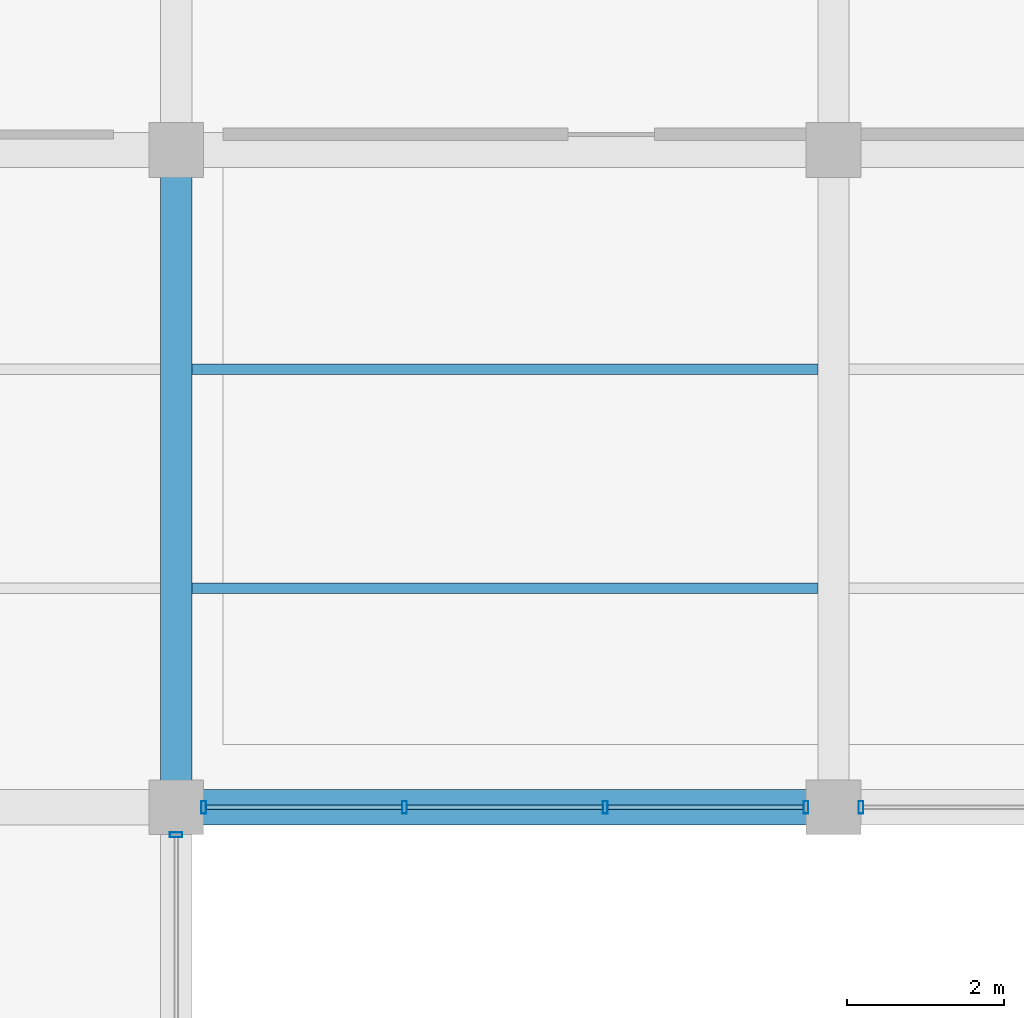
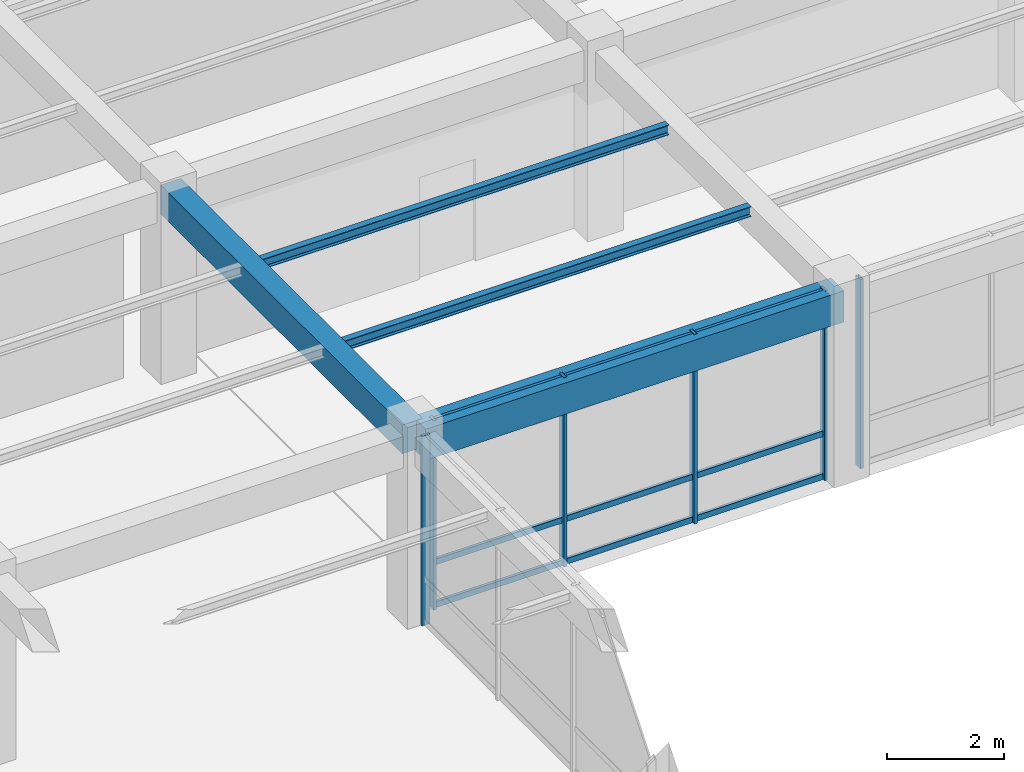
# One storey, part 13 of 152: 15 members, 4 beams, 3 elements without a shape of their own.
"""IFC4 building model written with IfcOpenShell, lengths in metres."""

import ifcopenshell
import ifcopenshell.guid

model = None  # the IFC model being written
_history = None  # IfcOwnerHistory: only IFC2X3 demands one
_inside = {}  # id of a spatial element -> (the spatial element, [elements in it])
_under = {}  # id of a project, library or spatial element -> (it, [spatial elements below it])
_declared = {}  # id of a project -> (the project, [libraries it declares])
_typed = {}  # id of a type object -> (the type object, [elements of that type])
_made_of = {}  # id of a material, layer set ... -> (it, [elements and type objects made of it])


def new_model(schema):
    """Start an empty IFC model of exactly this schema.

    Asked for "IFC4X3", IfcOpenShell would pick the latest addendum, in which some entities
    have other attributes; the version numbers below select the first issue.
    IFC2X3 requires an IfcOwnerHistory on every rooted entity: one is made here for all.
    """
    global model, _history
    if schema == "IFC4X3":
        model = ifcopenshell.file(schema_version=(4, 3, 0, 0))
    else:
        model = ifcopenshell.file(schema=schema)
    _inside.clear()
    _under.clear()
    _declared.clear()
    _typed.clear()
    _made_of.clear()
    _history = None
    if model.schema == "IFC2X3":
        org = make("IfcOrganization", Name="unknown")
        user = make(
            "IfcPersonAndOrganization",
            ThePerson=make("IfcPerson", FamilyName="unknown"),
            TheOrganization=org,
        )
        app = make(
            "IfcApplication",
            ApplicationDeveloper=org,
            Version="unknown",
            ApplicationFullName="unknown",
            ApplicationIdentifier="unknown",
        )
        _history = make(
            "IfcOwnerHistory",
            OwningUser=user,
            OwningApplication=app,
            ChangeAction="ADDED",
            CreationDate=0,
        )
    return model


def make(cls, **values):
    """One entity of the class cls with the attributes given. An attribute that is None is left unset."""
    return model.create_entity(
        cls, **{name: value for name, value in values.items() if value is not None}
    )


def rooted(cls, **values):
    """An entity with a GlobalId (a new one), such as an element, a storey or a relation."""
    return make(cls, GlobalId=ifcopenshell.guid.new(), OwnerHistory=_history, **values)


def si_unit(unit_type, name, prefix=None):
    """IfcSIUnit, for example si_unit("LENGTHUNIT", "METRE", prefix="MILLI")."""
    return make("IfcSIUnit", UnitType=unit_type, Prefix=prefix, Name=name)


def assignment(units):
    """IfcUnitAssignment: the units of a project."""
    return None if units is None else make("IfcUnitAssignment", Units=units)


def point(xyz):
    """IfcCartesianPoint."""
    return None if xyz is None else make("IfcCartesianPoint", Coordinates=xyz)


def direction(xyz):
    """IfcDirection."""
    return None if xyz is None else make("IfcDirection", DirectionRatios=xyz)


def frame(location, z_axis=None, x_axis=None):
    """IfcAxis2Placement3D, a coordinate frame: its origin and axes. An axis left out is left unset."""
    return make(
        "IfcAxis2Placement3D",
        Location=point(location),
        Axis=direction(z_axis),
        RefDirection=direction(x_axis),
    )


def frame_2d(location, x_axis=None):
    """IfcAxis2Placement2D, a coordinate frame in the plane: its origin and x axis."""
    return make(
        "IfcAxis2Placement2D", Location=point(location), RefDirection=direction(x_axis)
    )


def origin():
    """The frame at (0, 0, 0) with its axes left unset."""
    return frame((0.0, 0.0, 0.0))


def origin_2d():
    """The frame at (0, 0) in the plane with its x axis left unset."""
    return frame_2d((0.0, 0.0))


def place(relative_to, where):
    """IfcLocalPlacement: puts the frame where relative to a parent placement (None: the world)."""
    return make(
        "IfcLocalPlacement", PlacementRelTo=relative_to, RelativePlacement=where
    )


def context(
    kind, dimensions, precision=None, world=None, true_north=None, identifier=None
):
    """IfcGeometricRepresentationContext, for example the 3D "Model" context."""
    return make(
        "IfcGeometricRepresentationContext",
        ContextIdentifier=identifier,
        ContextType=kind,
        CoordinateSpaceDimension=dimensions,
        Precision=precision,
        WorldCoordinateSystem=world,
        TrueNorth=true_north,
    )


def subcontext(parent, identifier, kind, view, scale=None):
    """IfcGeometricRepresentationSubContext, for example "Body" below "Model"."""
    return make(
        "IfcGeometricRepresentationSubContext",
        ContextIdentifier=identifier,
        ContextType=kind,
        ParentContext=parent,
        TargetScale=scale,
        TargetView=view,
    )


def project(units=None, contexts=None):
    """IfcProject with its units and contexts."""
    return rooted(
        "IfcProject",
        Name="project",
        RepresentationContexts=contexts,
        UnitsInContext=assignment(units),
    )


def spatial(cls, under=None, at=None, **own):
    """A site, building, storey or space (cls), placed at a placement, below another one or the project."""
    s = rooted(cls, ObjectPlacement=at, **own)
    if under is not None:
        _under.setdefault(under.id(), (under, []))[1].append(s)
    return s


def profile(cls, at=None, kind="AREA", **sizes):
    """A parametric profile (cls). Its sizes go by their IFC names, for example OverallWidth=200.0."""
    return make(cls, ProfileType=kind, Position=at, **sizes)


def rectangle(**sizes):
    """IfcRectangleProfileDef."""
    return profile("IfcRectangleProfileDef", **sizes)


def hollow_rectangle(**sizes):
    """IfcRectangleHollowProfileDef."""
    return profile("IfcRectangleHollowProfileDef", **sizes)


def i_section(**sizes):
    """IfcIShapeProfileDef."""
    return profile("IfcIShapeProfileDef", **sizes)


def extrude(swept, where, along, depth):
    """IfcExtrudedAreaSolid: the profile swept, set in the frame where, extruded along a direction by depth."""
    return make(
        "IfcExtrudedAreaSolid",
        SweptArea=swept,
        Position=where,
        ExtrudedDirection=direction(along),
        Depth=depth,
    )


def shape(context_of_items, identifier, shape_type, items):
    """IfcShapeRepresentation: the items that make up one representation, for example the "Body"."""
    return make(
        "IfcShapeRepresentation",
        ContextOfItems=context_of_items,
        RepresentationIdentifier=identifier,
        RepresentationType=shape_type,
        Items=items,
    )


def material(Name=None, Category=None):
    """IfcMaterial."""
    return make("IfcMaterial", Name=Name, Category=Category)


def material_profile(
    of_material, cross_section, Name=None, Category=None, Priority=None
):
    """IfcMaterialProfile: a cross section and its material."""
    return make(
        "IfcMaterialProfile",
        Name=Name,
        Material=of_material,
        Profile=cross_section,
        Priority=Priority,
        Category=Category,
    )


def profile_set(profiles, Name=None, composite=None):
    """IfcMaterialProfileSet."""
    return make(
        "IfcMaterialProfileSet",
        Name=Name,
        MaterialProfiles=profiles,
        CompositeProfile=composite,
    )


def made_of(thing, what):
    """Note that an element or type object is made of a material, layer set ...; save() writes the relation."""
    if what is not None:
        _made_of.setdefault(what.id(), (what, []))[1].append(thing)
    return thing


def type_object(cls, material=None, **own):
    """A type object (cls), such as IfcWallType, which elements share."""
    return made_of(rooted(cls, **own), material)


def element(
    cls,
    number,
    at=None,
    inside=None,
    cuts=None,
    type_object=None,
    material=None,
    context=None,
    identifier="Body",
    shape_type=None,
    held_by="IfcProductDefinitionShape",
    body=None,
    shapes=None,
    **own,
):
    """One element of the class cls, such as IfcWall. Its Tag is "e" and its number.

    at: its placement. inside: the storey or other place that contains it. cuts: it is an
    opening in that element (IfcRelVoidsElement). A single representation is given by context,
    identifier, shape_type and body (its items); several are given by shapes. held_by: the class
    of the entity that holds the representations. save() writes the other relations.
    """
    e = rooted(cls, Tag="e%d" % number, ObjectPlacement=at, **own)
    if body is not None:
        shapes = [shape(context, identifier, shape_type, body)]
    if shapes is not None:
        e.Representation = make(held_by, Representations=shapes)
    if inside is not None:
        _inside.setdefault(inside.id(), (inside, []))[1].append(e)
    if cuts is not None:
        rooted(
            "IfcRelVoidsElement", RelatingBuildingElement=cuts, RelatedOpeningElement=e
        )
    if type_object is not None:
        _typed.setdefault(type_object.id(), (type_object, []))[1].append(e)
    return made_of(e, material)


def aggregate(whole, parts):
    """IfcRelAggregates: a whole, such as a stair, and the parts it consists of."""
    return rooted("IfcRelAggregates", RelatingObject=whole, RelatedObjects=parts)


def save(model, path):
    """Write the relations noted so far, then the file.

    IfcRelAggregates (storeys below a building ...), IfcRelContainedInSpatialStructure (elements
    in a storey), IfcRelDefinesByType, IfcRelAssociatesMaterial and IfcRelDeclares: one each for
    every whole, place, type object, material and project.
    """
    for whole, parts in _under.values():
        aggregate(whole, parts)
    for where, things in _inside.values():
        rooted(
            "IfcRelContainedInSpatialStructure",
            RelatedElements=things,
            RelatingStructure=where,
        )
    for kind, things in _typed.values():
        rooted("IfcRelDefinesByType", RelatedObjects=things, RelatingType=kind)
    for what, things in _made_of.values():
        rooted("IfcRelAssociatesMaterial", RelatedObjects=things, RelatingMaterial=what)
    for by, libraries in _declared.values():
        rooted("IfcRelDeclares", RelatingContext=by, RelatedDefinitions=libraries)
    model.write(path)


model = new_model("IFC4")

# Units and contexts
model_context = context("Model", 3, precision=1e-05, world=origin(), true_north=direction((0.0, 1.0)))
body_context = subcontext(model_context, "Body", "Model", "MODEL_VIEW")
ifc_project = project(units=[si_unit("LENGTHUNIT", "METRE"), si_unit("AREAUNIT", "SQUARE_METRE"), si_unit("VOLUMEUNIT", "CUBIC_METRE"), si_unit("PLANEANGLEUNIT", "RADIAN"), si_unit("MASSUNIT", "GRAM", prefix="KILO"), si_unit("THERMODYNAMICTEMPERATUREUNIT", "KELVIN"), si_unit("POWERUNIT", "WATT")], contexts=[model_context])

# Site, building, storey
site_placement = place(None, origin())
site = spatial("IfcSite", under=ifc_project, at=site_placement, CompositionType="ELEMENT")
building_placement = place(site_placement, origin())
building = spatial("IfcBuilding", under=site, at=building_placement, Name="Darbajah Civic Hall", CompositionType="ELEMENT")
storey_placement = place(building_placement, frame((0.0, 0.0, 5.39990234375)))
storey = spatial("IfcBuildingStorey", under=building, at=storey_placement, Name="L01", CompositionType="ELEMENT", Elevation=5.39990234375)

# Curtain wall, member
ifc_material_1 = material(Name="Anodised Bronze Aluminium and Low-E Glazing", Category="aluminium")
curtain_wall_type = type_object("IfcCurtainWallType", Name="Unitised Curtain Wall CW-99 7700x3950", PredefinedType="USERDEFINED", material=ifc_material_1)
curtain_wall_1_placement = place(storey_placement, origin())
curtain_wall_1 = element("IfcCurtainWall", 1, at=curtain_wall_1_placement, inside=storey, type_object=curtain_wall_type, Name="L01 unitised curtain wall CW-V5-L01-S1-B1", ObjectType="UNITISED CURTAIN WALL", PredefinedType="USERDEFINED")
ifc_material_2 = material(Name="Anodised Bronze Aluminium", Category="aluminium")
ifc_material_profile_1 = material_profile(ifc_material_2, hollow_rectangle(XDim=0.06005859375, YDim=0.159912109375, WallThickness=0.00341796875, at=origin_2d()), Name="ALU MULLION 60x160")
ifc_profile_set_1 = profile_set([ifc_material_profile_1], Name="Anodised Bronze Aluminium")
member_type_1 = type_object("IfcMemberType", Name="ALU MULLION 60x160", PredefinedType="MULLION", material=ifc_profile_set_1)
member_1_placement = place(storey_placement, frame((16.800048828125, 16.447998046875, 0.0), z_axis=(0.0, 0.0, 1.0), x_axis=(0.0, 1.0, 0.0)))
member_1 = element("IfcMember", 2, at=member_1_placement, type_object=member_type_1, Name="CW-V5-L01-S1-B1 mullion 4", PredefinedType="MULLION", context=body_context, shape_type="SweptSolid", body=[
    extrude(hollow_rectangle(XDim=0.06005859375, YDim=0.159912109375, WallThickness=0.00341796875, at=origin_2d()), origin(), (0.0, 0.0, 1.0), 3.940185546875),
])
aggregate(curtain_wall_1, [member_1])

# Curtain wall, members
curtain_wall_2_placement = place(storey_placement, origin())
curtain_wall_2 = element("IfcCurtainWall", 3, at=curtain_wall_2_placement, inside=storey, type_object=curtain_wall_type, Name="L01 unitised curtain wall CW-V5-L01-S2-B0", ObjectType="UNITISED CURTAIN WALL", PredefinedType="USERDEFINED")
member_2_placement = place(storey_placement, frame((17.152099609375, 16.800048828125, 0.0), z_axis=(0.0, 0.0, 1.0), x_axis=(1.0, 0.0, 0.0)))
member_2 = element("IfcMember", 4, at=member_2_placement, type_object=member_type_1, Name="CW-V5-L01-S2-B0 mullion 1", PredefinedType="MULLION", context=body_context, shape_type="SweptSolid", body=[
    extrude(hollow_rectangle(XDim=0.06005859375, YDim=0.159912109375, WallThickness=0.00341796875, at=origin_2d()), origin(), (0.0, 0.0, 1.0), 3.940185546875),
])
member_3_placement = place(storey_placement, frame((19.71728515625, 16.800048828125, 0.0), z_axis=(0.0, 0.0, 1.0), x_axis=(1.0, 0.0, 0.0)))
member_3 = element("IfcMember", 5, at=member_3_placement, type_object=member_type_1, Name="CW-V5-L01-S2-B0 mullion 2", PredefinedType="MULLION", context=body_context, shape_type="SweptSolid", body=[
    extrude(hollow_rectangle(XDim=0.06005859375, YDim=0.159912109375, WallThickness=0.00341796875, at=origin_2d()), origin(), (0.0, 0.0, 1.0), 3.940185546875),
])
member_4_placement = place(storey_placement, frame((22.28271484375, 16.800048828125, 0.0), z_axis=(0.0, 0.0, 1.0), x_axis=(1.0, 0.0, 0.0)))
member_4 = element("IfcMember", 6, at=member_4_placement, type_object=member_type_1, Name="CW-V5-L01-S2-B0 mullion 3", PredefinedType="MULLION", context=body_context, shape_type="SweptSolid", body=[
    extrude(hollow_rectangle(XDim=0.06005859375, YDim=0.159912109375, WallThickness=0.00341796875, at=origin_2d()), origin(), (0.0, 0.0, 1.0), 3.940185546875),
])
member_5_placement = place(storey_placement, frame((24.847900390625, 16.800048828125, 0.0), z_axis=(0.0, 0.0, 1.0), x_axis=(1.0, 0.0, 0.0)))
member_5 = element("IfcMember", 7, at=member_5_placement, type_object=member_type_1, Name="CW-V5-L01-S2-B0 mullion 4", PredefinedType="MULLION", context=body_context, shape_type="SweptSolid", body=[
    extrude(hollow_rectangle(XDim=0.06005859375, YDim=0.159912109375, WallThickness=0.00341796875, at=origin_2d()), origin(), (0.0, 0.0, 1.0), 3.940185546875),
])

# Curtain wall, member
curtain_wall_3_placement = place(storey_placement, origin())
curtain_wall_3 = element("IfcCurtainWall", 8, at=curtain_wall_3_placement, inside=storey, type_object=curtain_wall_type, Name="L01 unitised curtain wall CW-V5-L01-S2-B1", ObjectType="UNITISED CURTAIN WALL", PredefinedType="USERDEFINED")
member_6_placement = place(storey_placement, frame((25.552001953125, 16.800048828125, 0.0), z_axis=(0.0, 0.0, 1.0), x_axis=(1.0, 0.0, 0.0)))
member_6 = element("IfcMember", 9, at=member_6_placement, type_object=member_type_1, Name="CW-V5-L01-S2-B1 mullion 1", PredefinedType="MULLION", context=body_context, shape_type="SweptSolid", body=[
    extrude(hollow_rectangle(XDim=0.06005859375, YDim=0.159912109375, WallThickness=0.00341796875, at=origin_2d()), origin(), (0.0, 0.0, 1.0), 3.940185546875),
])
aggregate(curtain_wall_3, [member_6])

# Member
ifc_material_profile_2 = material_profile(ifc_material_2, hollow_rectangle(XDim=0.06005859375, YDim=0.1201171875, WallThickness=0.003173828125, at=origin_2d()), Name="ALU TRANSOM 60x120")
ifc_profile_set_2 = profile_set([ifc_material_profile_2], Name="Anodised Bronze Aluminium")
member_type_2 = type_object("IfcMemberType", Name="ALU TRANSOM 60x120", PredefinedType="USERDEFINED", material=ifc_profile_set_2)
member_7_placement = place(storey_placement, frame((17.18701171875, 16.800048828125, 0.06005859375), z_axis=(1.0, 0.0, 0.0), x_axis=(0.0, 1.0, 0.0)))
member_7 = element("IfcMember", 10, at=member_7_placement, type_object=member_type_2, Name="CW-V5-L01-S2-B0 transom 1.1", ObjectType="TRANSOM", PredefinedType="USERDEFINED", context=body_context, shape_type="SweptSolid", body=[
    extrude(hollow_rectangle(XDim=0.06005859375, YDim=0.1201171875, WallThickness=0.003173828125, at=origin_2d()), origin(), (0.0, 0.0, 1.0), 2.495361328125),
])

member_8_placement = place(storey_placement, frame((17.18701171875, 16.800048828125, 0.9501953125), z_axis=(1.0, 0.0, 0.0), x_axis=(0.0, 1.0, 0.0)))
member_8 = element("IfcMember", 11, at=member_8_placement, type_object=member_type_2, Name="CW-V5-L01-S2-B0 transom 1.2", ObjectType="TRANSOM", PredefinedType="USERDEFINED", context=body_context, shape_type="SweptSolid", body=[
    extrude(hollow_rectangle(XDim=0.06005859375, YDim=0.1201171875, WallThickness=0.003173828125, at=origin_2d()), origin(), (0.0, 0.0, 1.0), 2.495361328125),
])

member_9_placement = place(storey_placement, frame((17.18701171875, 16.800048828125, 3.880126953125), z_axis=(1.0, 0.0, 0.0), x_axis=(0.0, 1.0, 0.0)))
member_9 = element("IfcMember", 12, at=member_9_placement, type_object=member_type_2, Name="CW-V5-L01-S2-B0 transom 1.3", ObjectType="TRANSOM", PredefinedType="USERDEFINED", context=body_context, shape_type="SweptSolid", body=[
    extrude(hollow_rectangle(XDim=0.06005859375, YDim=0.1201171875, WallThickness=0.003173828125, at=origin_2d()), origin(), (0.0, 0.0, 1.0), 2.495361328125),
])

member_10_placement = place(storey_placement, frame((19.752197265625, 16.800048828125, 0.06005859375), z_axis=(1.0, 0.0, 0.0), x_axis=(0.0, 1.0, 0.0)))
member_10 = element("IfcMember", 13, at=member_10_placement, type_object=member_type_2, Name="CW-V5-L01-S2-B0 transom 2.1", ObjectType="TRANSOM", PredefinedType="USERDEFINED", context=body_context, shape_type="SweptSolid", body=[
    extrude(hollow_rectangle(XDim=0.06005859375, YDim=0.1201171875, WallThickness=0.003173828125, at=origin_2d()), origin(), (0.0, 0.0, 1.0), 2.49560546875),
])

member_11_placement = place(storey_placement, frame((19.752197265625, 16.800048828125, 0.9501953125), z_axis=(1.0, 0.0, 0.0), x_axis=(0.0, 1.0, 0.0)))
member_11 = element("IfcMember", 14, at=member_11_placement, type_object=member_type_2, Name="CW-V5-L01-S2-B0 transom 2.2", ObjectType="TRANSOM", PredefinedType="USERDEFINED", context=body_context, shape_type="SweptSolid", body=[
    extrude(hollow_rectangle(XDim=0.06005859375, YDim=0.1201171875, WallThickness=0.003173828125, at=origin_2d()), origin(), (0.0, 0.0, 1.0), 2.49560546875),
])

member_12_placement = place(storey_placement, frame((19.752197265625, 16.800048828125, 3.880126953125), z_axis=(1.0, 0.0, 0.0), x_axis=(0.0, 1.0, 0.0)))
member_12 = element("IfcMember", 15, at=member_12_placement, type_object=member_type_2, Name="CW-V5-L01-S2-B0 transom 2.3", ObjectType="TRANSOM", PredefinedType="USERDEFINED", context=body_context, shape_type="SweptSolid", body=[
    extrude(hollow_rectangle(XDim=0.06005859375, YDim=0.1201171875, WallThickness=0.003173828125, at=origin_2d()), origin(), (0.0, 0.0, 1.0), 2.49560546875),
])

member_13_placement = place(storey_placement, frame((22.317626953125, 16.800048828125, 0.06005859375), z_axis=(1.0, 0.0, 0.0), x_axis=(0.0, 1.0, 0.0)))
member_13 = element("IfcMember", 16, at=member_13_placement, type_object=member_type_2, Name="CW-V5-L01-S2-B0 transom 3.1", ObjectType="TRANSOM", PredefinedType="USERDEFINED", context=body_context, shape_type="SweptSolid", body=[
    extrude(hollow_rectangle(XDim=0.06005859375, YDim=0.1201171875, WallThickness=0.003173828125, at=origin_2d()), origin(), (0.0, 0.0, 1.0), 2.495361328125),
])

member_14_placement = place(storey_placement, frame((22.317626953125, 16.800048828125, 0.9501953125), z_axis=(1.0, 0.0, 0.0), x_axis=(0.0, 1.0, 0.0)))
member_14 = element("IfcMember", 17, at=member_14_placement, type_object=member_type_2, Name="CW-V5-L01-S2-B0 transom 3.2", ObjectType="TRANSOM", PredefinedType="USERDEFINED", context=body_context, shape_type="SweptSolid", body=[
    extrude(hollow_rectangle(XDim=0.06005859375, YDim=0.1201171875, WallThickness=0.003173828125, at=origin_2d()), origin(), (0.0, 0.0, 1.0), 2.495361328125),
])

member_15_placement = place(storey_placement, frame((22.317626953125, 16.800048828125, 3.880126953125), z_axis=(1.0, 0.0, 0.0), x_axis=(0.0, 1.0, 0.0)))
member_15 = element("IfcMember", 18, at=member_15_placement, type_object=member_type_2, Name="CW-V5-L01-S2-B0 transom 3.3", ObjectType="TRANSOM", PredefinedType="USERDEFINED", context=body_context, shape_type="SweptSolid", body=[
    extrude(hollow_rectangle(XDim=0.06005859375, YDim=0.1201171875, WallThickness=0.003173828125, at=origin_2d()), origin(), (0.0, 0.0, 1.0), 2.495361328125),
])

aggregate(curtain_wall_2, [member_2, member_3, member_4, member_5, member_7, member_8, member_9, member_10, member_11, member_12, member_13, member_14, member_15])

# Beams
ifc_material_3 = material(Name="Concrete C45/55", Category="concrete")
ifc_material_profile_3 = material_profile(ifc_material_3, rectangle(XDim=0.39990234375, YDim=0.60009765625, at=origin_2d()), Name="RC BEAM 400x600")
ifc_profile_set_3 = profile_set([ifc_material_profile_3], Name="Concrete C45/55")
beam_type_1 = type_object("IfcBeamType", Name="RC BEAM 400x600", PredefinedType="BEAM", material=ifc_profile_set_3)
beam_1_placement = place(storey_placement, frame((16.800048828125, 16.8798828125, 3.64013671875), z_axis=(0.0, 1.0, 0.0), x_axis=(-1.0, 0.0, 0.0)))
element("IfcBeam", 19, at=beam_1_placement, inside=storey, type_object=beam_type_1, Name="L01 beam BM-4060", PredefinedType="BEAM", context=body_context, shape_type="SweptSolid", body=[
    extrude(rectangle(XDim=0.39990234375, YDim=0.60009765625, at=origin_2d()), origin(), (0.0, 0.0, 1.0), 8.240234375),
])
ifc_material_profile_4 = material_profile(ifc_material_3, rectangle(XDim=0.449951171875, YDim=0.64990234375, at=origin_2d()), Name="RC BEAM 450x650")
ifc_profile_set_4 = profile_set([ifc_material_profile_4], Name="Concrete C45/55")
beam_type_2 = type_object("IfcBeamType", Name="RC BEAM 450x650", PredefinedType="BEAM", material=ifc_profile_set_4)
beam_2_placement = place(storey_placement, frame((16.8798828125, 16.800048828125, 3.614990234375), z_axis=(1.0, 0.0, 0.0), x_axis=(0.0, 1.0, 0.0)))
element("IfcBeam", 20, at=beam_2_placement, inside=storey, type_object=beam_type_2, Name="L01 beam BM-4565", PredefinedType="BEAM", context=body_context, shape_type="SweptSolid", body=[
    extrude(rectangle(XDim=0.449951171875, YDim=0.64990234375, at=origin_2d()), origin(), (0.0, 0.0, 1.0), 8.240234375),
])
ifc_material_4 = material(Name="Steel S355JR", Category="steel")
ifc_material_profile_5 = material_profile(ifc_material_4, i_section(OverallWidth=0.1337890625, OverallDepth=0.206787109375, WebThickness=0.00634765625, FlangeThickness=0.009521484375, FilletRadius=0.007568359375, at=origin_2d()), Name="UB 203x133x30")
ifc_profile_set_5 = profile_set([ifc_material_profile_5], Name="Steel S355JR")
beam_type_3 = type_object("IfcBeamType", Name="UB 203x133x30", PredefinedType="JOIST", material=ifc_profile_set_5)
for number, where, z_axis, x_axis, name in (
    (21, (17.0, 19.60009765625, 3.836669921875), (1.0, 0.0, 0.0), (0.0, 1.0, 0.0), "L01 beam SJ-203"),
    (22, (17.0, 22.39990234375, 3.836669921875), (1.0, 0.0, 0.0), (0.0, 1.0, 0.0), "L01 beam SJ-203"),
):
    element("IfcBeam", number, at=place(storey_placement, frame(where, z_axis=z_axis, x_axis=x_axis)), inside=storey, type_object=beam_type_3, Name=name, PredefinedType="JOIST", context=body_context, shape_type="SweptSolid", body=[
        extrude(i_section(OverallWidth=0.1337890625, OverallDepth=0.206787109375, WebThickness=0.00634765625, FlangeThickness=0.009521484375, FilletRadius=0.007568359375, at=origin_2d()), origin(), (0.0, 0.0, 1.0), 8.0),
    ])

save(model, "model.ifc")
